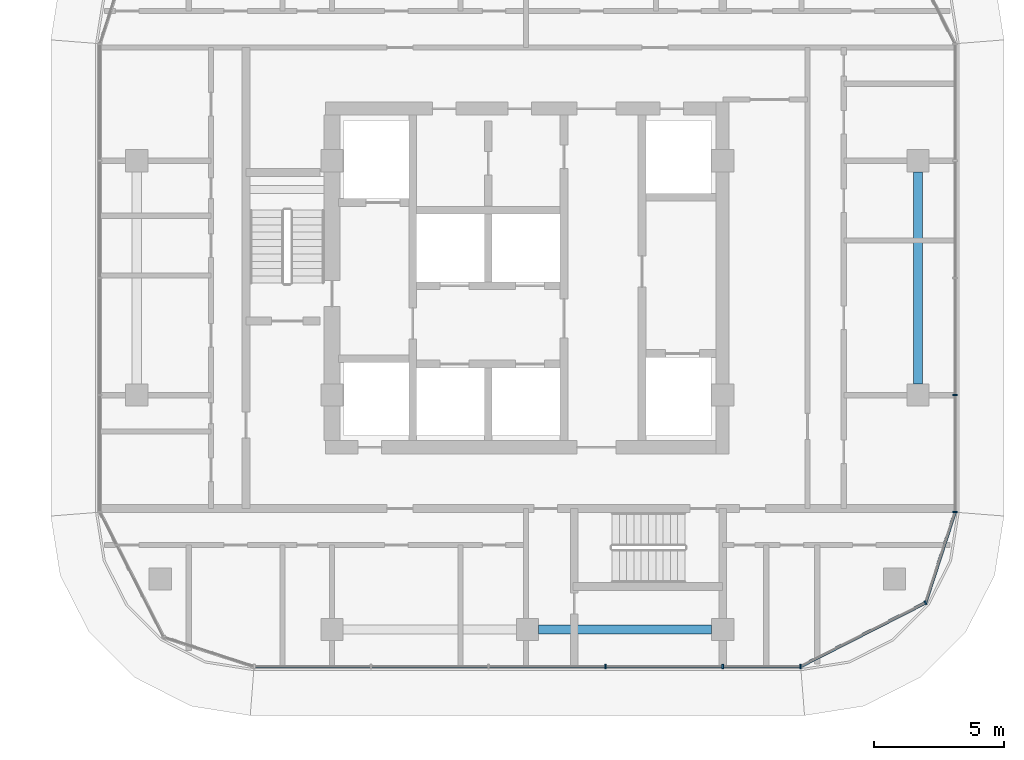
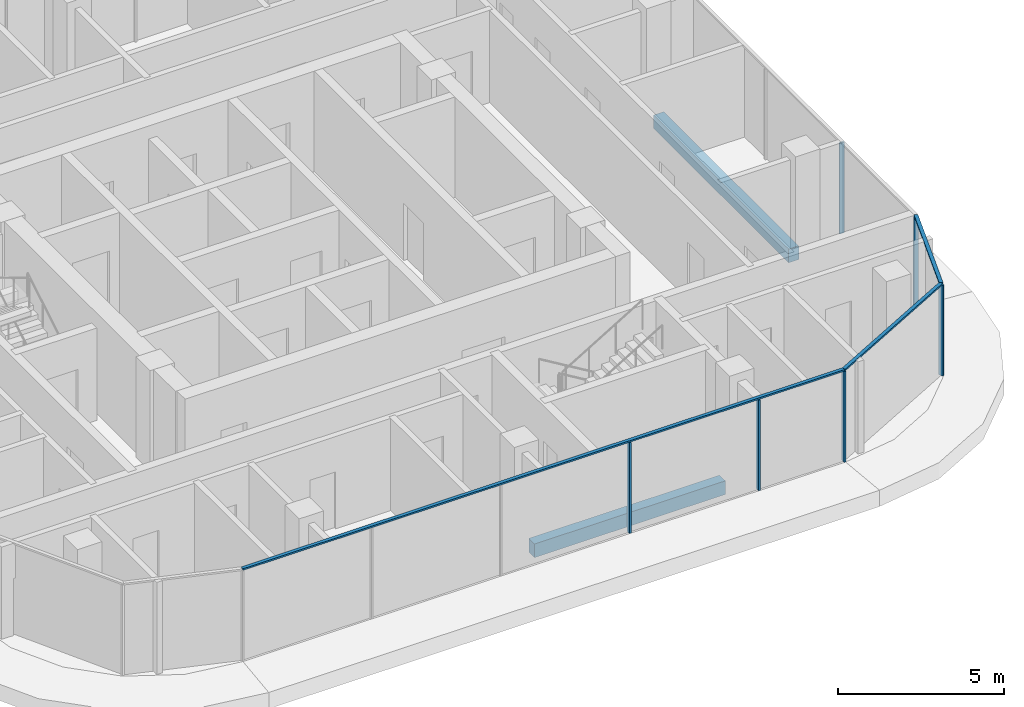
# One storey, part 11 of 36: 9 members, 2 beams, 3 elements without a shape of their own.
"""IFC4 building model written with IfcOpenShell, lengths in metres."""

from ifc_helpers import new_model, si_unit, direction, frame, origin, origin_2d, place, context, subcontext, project, spatial, rectangle, extrude, material, material_profile, profile_set, type_object, element, aggregate, save


model = new_model("IFC4")

# Units and contexts
model_context = context("Model", 3, precision=1e-05, world=origin(), true_north=direction((0.0, 1.0)))
body_context = subcontext(model_context, "Body", "Model", "MODEL_VIEW")
ifc_project = project(units=[si_unit("LENGTHUNIT", "METRE"), si_unit("AREAUNIT", "SQUARE_METRE"), si_unit("VOLUMEUNIT", "CUBIC_METRE"), si_unit("PLANEANGLEUNIT", "RADIAN"), si_unit("MASSUNIT", "GRAM", prefix="KILO")], contexts=[model_context])

# Site, building, storey
site_placement = place(None, origin())
site = spatial("IfcSite", under=ifc_project, at=site_placement, CompositionType="ELEMENT")
building_placement = place(site_placement, origin())
building = spatial("IfcBuilding", under=site, at=building_placement, Name="Ogive Portal Towers", CompositionType="ELEMENT")
storey_placement = place(building_placement, frame((0.0, 0.0, 70.5)))
storey = spatial("IfcBuildingStorey", under=building, at=storey_placement, Name="L16", CompositionType="ELEMENT", Elevation=70.5)

# Curtain wall, members
ifc_material_1 = material(Name="Glass, clear low-iron insulated glazing", Category="glass")
curtain_wall_type = type_object("IfcCurtainWallType", Name="CW RESIDENCES RIBBON", PredefinedType="NOTDEFINED", material=ifc_material_1)
curtain_wall_1_placement = place(storey_placement, origin())
curtain_wall_1 = element("IfcCurtainWall", 1, at=curtain_wall_1_placement, inside=storey, type_object=curtain_wall_type, Name="B:L16:f02:cw0", PredefinedType="NOTDEFINED")
ifc_material_2 = material(Name="Aluminium 6063 anodised", Category="aluminium")
ifc_material_profile_1 = material_profile(ifc_material_2, rectangle(XDim=0.159912109375, YDim=0.06005859375, at=origin_2d()), Name="AL 60x160")
ifc_profile_set_1 = profile_set([ifc_material_profile_1], Name="Aluminium 6063 anodised")
member_type_1 = type_object("IfcMemberType", Name="CW MULLION 60x160", PredefinedType="MULLION", material=ifc_profile_set_1)
member_1_placement = place(storey_placement, frame((139.5, 16.080078125, 0.0), z_axis=(0.0, 0.0, 1.0), x_axis=(0.0, 1.0, 0.0)))
member_1 = element("IfcMember", 2, at=member_1_placement, type_object=member_type_1, Name="mullion", PredefinedType="MULLION", context=body_context, shape_type="SweptSolid", body=[
    extrude(rectangle(XDim=0.159912109375, YDim=0.06005859375, at=origin_2d()), origin(), (0.0, 0.0, 1.0), 3.340087890625),
])
member_2_placement = place(storey_placement, frame((144.0, 16.080078125, 0.0), z_axis=(0.0, 0.0, 1.0), x_axis=(0.0, 1.0, 0.0)))
member_2 = element("IfcMember", 3, at=member_2_placement, type_object=member_type_1, Name="mullion", PredefinedType="MULLION", context=body_context, shape_type="SweptSolid", body=[
    extrude(rectangle(XDim=0.159912109375, YDim=0.06005859375, at=origin_2d()), origin(), (0.0, 0.0, 1.0), 3.340087890625),
])
member_3_placement = place(storey_placement, frame((146.980712890625, 16.080078125, 0.0), z_axis=(0.0, 0.0, 1.0), x_axis=(0.0, 1.0, 0.0)))
member_3 = element("IfcMember", 4, at=member_3_placement, type_object=member_type_1, Name="mullion", PredefinedType="MULLION", context=body_context, shape_type="SweptSolid", body=[
    extrude(rectangle(XDim=0.159912109375, YDim=0.06005859375, at=origin_2d()), origin(), (0.0, 0.0, 1.0), 3.340087890625),
])

curtain_wall_2_placement = place(storey_placement, origin())
curtain_wall_2 = element("IfcCurtainWall", 5, at=curtain_wall_2_placement, inside=storey, type_object=curtain_wall_type, Name="B:L16:f05:cw0", PredefinedType="NOTDEFINED")
member_4_placement = place(storey_placement, frame((152.919921875, 22.0126953125, 0.0), z_axis=(0.0, 0.0, 1.0), x_axis=(-1.0, 0.0, 0.0)))
member_4 = element("IfcMember", 6, at=member_4_placement, type_object=member_type_1, Name="mullion", PredefinedType="MULLION", context=body_context, shape_type="SweptSolid", body=[
    extrude(rectangle(XDim=0.159912109375, YDim=0.06005859375, at=origin_2d()), origin(), (0.0, 0.0, 1.0), 3.340087890625),
])
member_5_placement = place(storey_placement, frame((152.919921875, 26.5, 0.0), z_axis=(0.0, 0.0, 1.0), x_axis=(-1.0, 0.0, 0.0)))
member_5 = element("IfcMember", 7, at=member_5_placement, type_object=member_type_1, Name="mullion", PredefinedType="MULLION", context=body_context, shape_type="SweptSolid", body=[
    extrude(rectangle(XDim=0.159912109375, YDim=0.06005859375, at=origin_2d()), origin(), (0.0, 0.0, 1.0), 3.340087890625),
])
aggregate(curtain_wall_2, [member_4, member_5])

# Curtain wall, member
curtain_wall_3_placement = place(storey_placement, origin())
curtain_wall_3 = element("IfcCurtainWall", 8, at=curtain_wall_3_placement, inside=storey, type_object=curtain_wall_type, Name="B:L16:f03:cwa", PredefinedType="NOTDEFINED")
member_6_placement = place(storey_placement, frame((151.788330078125, 18.529541015625, 0.0), z_axis=(0.0, 0.0, 1.0), x_axis=(-0.45399049974, 0.891006524188, 0.0)))
member_6 = element("IfcMember", 9, at=member_6_placement, type_object=member_type_1, Name="mullion", PredefinedType="MULLION", context=body_context, shape_type="SweptSolid", body=[
    extrude(rectangle(XDim=0.159912109375, YDim=0.06005859375, at=origin_2d()), origin(), (0.0, 0.0, 1.0), 3.340087890625),
])

# Member
ifc_material_profile_2 = material_profile(ifc_material_2, rectangle(XDim=0.1201171875, YDim=0.06005859375, at=origin_2d()), Name="AL 120x60")
ifc_profile_set_2 = profile_set([ifc_material_profile_2], Name="Aluminium 6063 anodised")
member_type_2 = type_object("IfcMemberType", Name="CW TRANSOM 60x120", PredefinedType="USERDEFINED", material=ifc_profile_set_2)
member_7_placement = place(storey_placement, frame((126.0126953125, 16.080078125, 3.3701171875), z_axis=(1.0, 0.0, 0.0), x_axis=(0.0, 1.0, 0.0)))
member_7 = element("IfcMember", 10, at=member_7_placement, type_object=member_type_2, Name="transom", ObjectType="TRANSOM", PredefinedType="USERDEFINED", context=body_context, shape_type="SweptSolid", body=[
    extrude(rectangle(XDim=0.1201171875, YDim=0.06005859375, at=origin_2d()), origin(), (0.0, 0.0, 1.0), 20.968017578125),
])

aggregate(curtain_wall_1, [member_7, member_1, member_2, member_3])

member_8_placement = place(storey_placement, frame((146.980712890625, 16.080078125, 3.3701171875), z_axis=(0.891017050983, 0.453969839149, 0.0), x_axis=(-0.453969839149, 0.891017050983, 0.0)))
member_8 = element("IfcMember", 11, at=member_8_placement, type_object=member_type_2, Name="transom", ObjectType="TRANSOM", PredefinedType="USERDEFINED", context=body_context, shape_type="SweptSolid", body=[
    extrude(rectangle(XDim=0.1201171875, YDim=0.06005859375, at=origin_2d()), origin(), (0.0, 0.0, 1.0), 5.395751953125),
])

member_9_placement = place(storey_placement, frame((151.788330078125, 18.529541015625, 3.3701171875), z_axis=(0.308979049184, 0.951068844598, 0.0), x_axis=(-0.951068844598, 0.308979049184, 0.0)))
member_9 = element("IfcMember", 12, at=member_9_placement, type_object=member_type_2, Name="transom", ObjectType="TRANSOM", PredefinedType="USERDEFINED", context=body_context, shape_type="SweptSolid", body=[
    extrude(rectangle(XDim=0.1201171875, YDim=0.06005859375, at=origin_2d()), origin(), (0.0, 0.0, 1.0), 3.662353515625),
])

aggregate(curtain_wall_3, [member_8, member_9, member_6])

# Beams
ifc_material_3 = material(Name="Concrete C50/60", Category="concrete")
ifc_material_profile_3 = material_profile(ifc_material_3, rectangle(XDim=0.35009765625, YDim=0.5, at=origin_2d()), Name="RC 350x500")
ifc_profile_set_3 = profile_set([ifc_material_profile_3], Name="Concrete C50/60")
beam_type = type_object("IfcBeamType", Name="SPANDREL BEAM RC 350x500", PredefinedType="BEAM", material=ifc_profile_set_3)
beam_1_placement = place(storey_placement, frame((136.925048828125, 17.5, -0.550048828125), z_axis=(1.0, 0.0, 0.0), x_axis=(0.0, 1.0, 0.0)))
element("IfcBeam", 13, at=beam_1_placement, inside=storey, type_object=beam_type, Name="Spandrel beam L16", PredefinedType="BEAM", context=body_context, shape_type="SweptSolid", body=[
    extrude(rectangle(XDim=0.35009765625, YDim=0.5, at=origin_2d()), origin(), (0.0, 0.0, 1.0), 6.64990234375),
])
beam_2_placement = place(storey_placement, frame((151.5, 26.925048828125, -0.550048828125), z_axis=(0.0, 1.0, 0.0), x_axis=(-1.0, 0.0, 0.0)))
element("IfcBeam", 14, at=beam_2_placement, inside=storey, type_object=beam_type, Name="Spandrel beam L16", PredefinedType="BEAM", context=body_context, shape_type="SweptSolid", body=[
    extrude(rectangle(XDim=0.35009765625, YDim=0.5, at=origin_2d()), origin(), (0.0, 0.0, 1.0), 8.14990234375),
])

save(model, "model.ifc")
